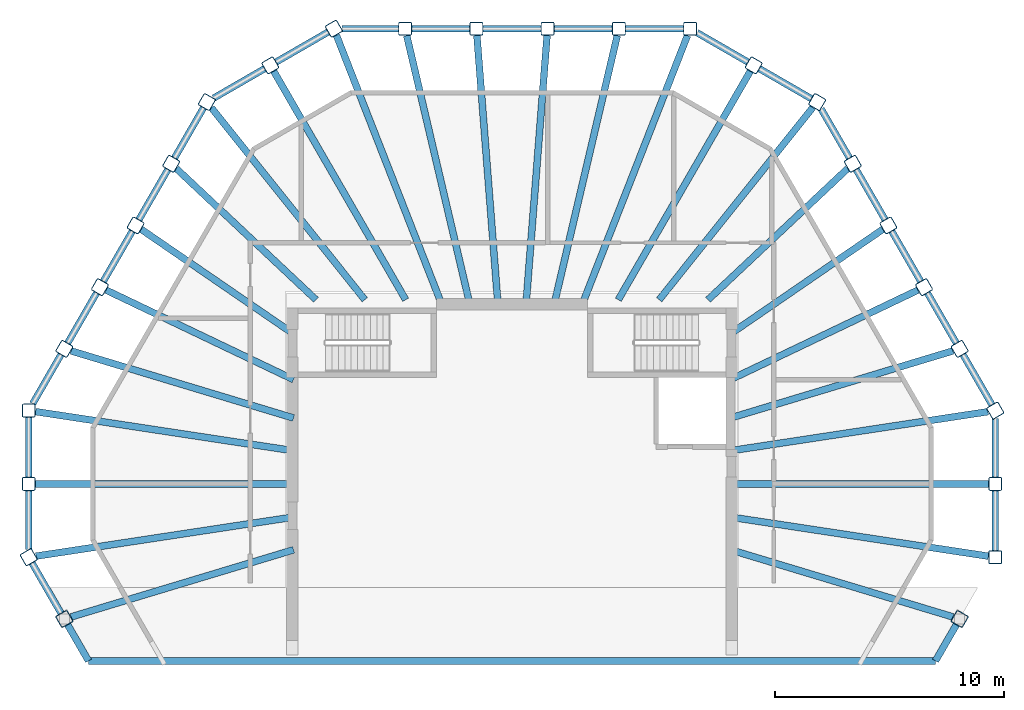
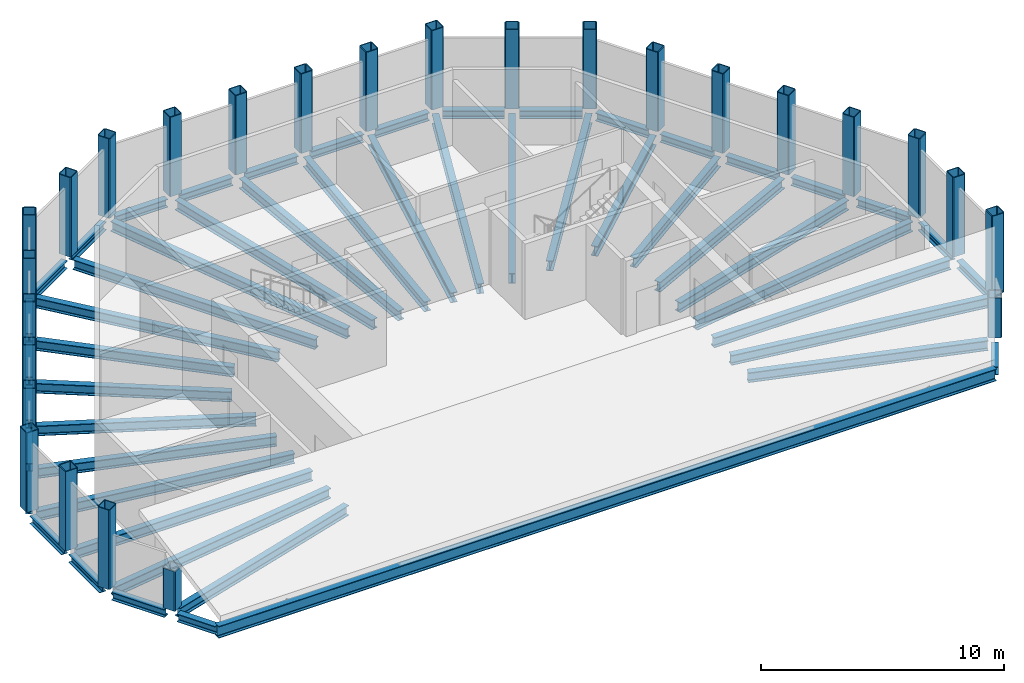
# One storey, part 1 of 4: 53 beams, 26 columns.
"""IFC4 building model written with IfcOpenShell, lengths in metres."""

from ifc_helpers import new_model, si_unit, direction, frame, origin, origin_2d, place, context, subcontext, project, spatial, hollow_rectangle, i_section, extrude, material, material_profile, profile_set, type_object, element, save


model = new_model("IFC4")

# Units and contexts
model_context = context("Model", 3, precision=1e-05, world=origin(), true_north=direction((0.0, 1.0)))
body_context = subcontext(model_context, "Body", "Model", "MODEL_VIEW")
ifc_project = project(units=[si_unit("LENGTHUNIT", "METRE"), si_unit("AREAUNIT", "SQUARE_METRE"), si_unit("VOLUMEUNIT", "CUBIC_METRE"), si_unit("PLANEANGLEUNIT", "RADIAN"), si_unit("MASSUNIT", "GRAM", prefix="KILO")], contexts=[model_context])

# Site, building, storey
site_placement = place(None, origin())
site = spatial("IfcSite", under=ifc_project, at=site_placement, CompositionType="ELEMENT")
building_placement = place(site_placement, origin())
building = spatial("IfcBuilding", under=site, at=building_placement, Name="Frailejon Research Tower", CompositionType="ELEMENT")
storey_placement = place(building_placement, frame((0.0, 0.0, 360.60009765625)))
storey = spatial("IfcBuildingStorey", under=building, at=storey_placement, Name="L81", CompositionType="ELEMENT", Elevation=360.60009765625)

# Columns
ifc_material_1 = material(Name="Steel S355", Category="steel")
ifc_material_profile_1 = material_profile(ifc_material_1, hollow_rectangle(XDim=0.60009765625, YDim=0.60009765625, WallThickness=0.0400390625, InnerFilletRadius=0.0400390625, OuterFilletRadius=0.080078125, at=origin_2d()), Name="Crown column")
ifc_profile_set_1 = profile_set([ifc_material_profile_1], Name="Steel S355")
column_type = type_object("IfcColumnType", Name="Crown column", PredefinedType="COLUMN", material=ifc_profile_set_1)
for number, where, z_axis, x_axis, name in (
    (1, (21.12744140625, -3.2060546875, 0.0), (0.0, 0.0, 1.0), (0.0, 1.0, 0.0), "Column C01"),
    (2, (21.12744140625, 0.0, 0.0), (0.0, 0.0, 1.0), (0.0, 1.0, 0.0), "Column C02"),
    (3, (21.12744140625, 3.2060546875, 0.0), (0.0, 0.0, 1.0), (-0.5, 0.866025403784, 0.0), "Column C03"),
    (4, (19.570068359375, 5.903564453125, 0.0), (0.0, 0.0, 1.0), (-0.5, 0.866025403784, 0.0), "Column C04"),
    (5, (18.0126953125, 8.601318359375, 0.0), (0.0, 0.0, 1.0), (-0.5, 0.866025403784, 0.0), "Column C05"),
    (6, (16.455078125, 11.298828125, 0.0), (0.0, 0.0, 1.0), (-0.5, 0.866025403784, 0.0), "Column C06"),
    (7, (14.897705078125, 13.996337890625, 0.0), (0.0, 0.0, 1.0), (-0.5, 0.866025403784, 0.0), "Column C07"),
    (8, (13.34033203125, 16.69384765625, 0.0), (0.0, 0.0, 1.0), (-0.866025403784, 0.5, 0.0), "Column C08"),
    (9, (10.563720703125, 18.297119140625, 0.0), (0.0, 0.0, 1.0), (-0.866025403784, 0.5, 0.0), "Column C09"),
    (10, (7.787109375, 19.89990234375, 0.0), (0.0, 0.0, 1.0), (-1.0, 0.0, 0.0), "Column C10"),
    (11, (4.67236328125, 19.89990234375, 0.0), (0.0, 0.0, 1.0), (-1.0, 0.0, 0.0), "Column C11"),
    (12, (1.557373046875, 19.89990234375, 0.0), (0.0, 0.0, 1.0), (-1.0, 0.0, 0.0), "Column C12"),
    (13, (-1.557373046875, 19.89990234375, 0.0), (0.0, 0.0, 1.0), (-1.0, 0.0, 0.0), "Column C13"),
    (14, (-4.67236328125, 19.89990234375, 0.0), (0.0, 0.0, 1.0), (-1.0, 0.0, 0.0), "Column C14"),
    (15, (-7.787109375, 19.89990234375, 0.0), (0.0, 0.0, 1.0), (-0.866025403784, -0.5, 0.0), "Column C15"),
    (16, (-10.563720703125, 18.297119140625, 0.0), (0.0, 0.0, 1.0), (-0.866025403784, -0.5, 0.0), "Column C16"),
    (17, (-13.34033203125, 16.69384765625, 0.0), (0.0, 0.0, 1.0), (-0.5, -0.866025403784, 0.0), "Column C17"),
    (18, (-14.897705078125, 13.996337890625, 0.0), (0.0, 0.0, 1.0), (-0.5, -0.866025403784, 0.0), "Column C18"),
    (19, (-16.455078125, 11.298828125, 0.0), (0.0, 0.0, 1.0), (-0.5, -0.866025403784, 0.0), "Column C19"),
    (20, (-18.0126953125, 8.601318359375, 0.0), (0.0, 0.0, 1.0), (-0.5, -0.866025403784, 0.0), "Column C20"),
    (21, (-19.570068359375, 5.903564453125, 0.0), (0.0, 0.0, 1.0), (-0.5, -0.866025403784, 0.0), "Column C21"),
    (22, (-21.12744140625, 3.2060546875, 0.0), (0.0, 0.0, 1.0), (0.0, -1.0, 0.0), "Column C22"),
    (23, (-21.12744140625, 0.0, 0.0), (0.0, 0.0, 1.0), (0.0, -1.0, 0.0), "Column C23"),
    (24, (-21.12744140625, -3.2060546875, 0.0), (0.0, 0.0, 1.0), (0.5, -0.866025403784, 0.0), "Column C24"),
):
    element("IfcColumn", number, at=place(storey_placement, frame(where, z_axis=z_axis, x_axis=x_axis)), inside=storey, type_object=column_type, Name=name, PredefinedType="COLUMN", context=body_context, shape_type="SweptSolid", body=[
        extrude(hollow_rectangle(XDim=0.60009765625, YDim=0.60009765625, WallThickness=0.0400390625, InnerFilletRadius=0.0400390625, OuterFilletRadius=0.080078125, at=origin_2d()), origin(), (0.0, 0.0, 1.0), 4.0),
    ])
for number, where, z_axis, x_axis, name in (
    (25, (-19.570068359375, -5.903564453125, 0.0), (0.0, 0.0, 1.0), (0.5, -0.866025403784, 0.0), "Column C25"),
    (26, (19.570068359375, -5.903564453125, 0.0), (0.0, 0.0, 1.0), (0.5, 0.866025403784, 0.0), "Column C42"),
):
    element("IfcColumn", number, at=place(storey_placement, frame(where, z_axis=z_axis, x_axis=x_axis)), inside=storey, type_object=column_type, Name=name, PredefinedType="COLUMN", context=body_context, shape_type="SweptSolid", body=[
        extrude(hollow_rectangle(XDim=0.60009765625, YDim=0.60009765625, WallThickness=0.0400390625, InnerFilletRadius=0.0400390625, OuterFilletRadius=0.080078125, at=origin_2d()), origin(), (0.0, 0.0, 1.0), 2.005615234375),
    ])

# Beams
ifc_material_2 = material(Name="Steel S355", Category="steel")
ifc_material_profile_2 = material_profile(ifc_material_2, i_section(OverallWidth=0.300048828125, OverallDepth=0.60009765625, WebThickness=0.015380859375, FlangeThickness=0.030029296875, FilletRadius=0.027099609375, at=origin_2d()), Name="HE 600 B")
ifc_profile_set_2 = profile_set([ifc_material_profile_2], Name="Steel S355")
beam_type_1 = type_object("IfcBeamType", Name="Crown chord beam", PredefinedType="BEAM", material=ifc_profile_set_2)
beam_1_placement = place(storey_placement, frame((18.51171875, -7.736572265625, -0.5), z_axis=(-1.0, 0.0, 0.0), x_axis=(0.0, -1.0, 0.0)))
element("IfcBeam", 27, at=beam_1_placement, inside=storey, type_object=beam_type_1, Name="Crown chord beam", PredefinedType="BEAM", context=body_context, shape_type="SweptSolid", body=[
    extrude(i_section(OverallWidth=0.300048828125, OverallDepth=0.60009765625, WebThickness=0.015380859375, FlangeThickness=0.030029296875, FilletRadius=0.027099609375, at=origin_2d()), origin(), (0.0, 0.0, 1.0), 37.0234375),
])
ifc_material_3 = material(Name="Steel S355", Category="steel")
ifc_material_profile_3 = material_profile(ifc_material_3, i_section(OverallWidth=0.300048828125, OverallDepth=0.5, WebThickness=0.014404296875, FlangeThickness=0.028076171875, FilletRadius=0.027099609375, at=origin_2d()), Name="HE 500 B")
ifc_profile_set_3 = profile_set([ifc_material_profile_3], Name="Steel S355")
beam_type_2 = type_object("IfcBeamType", Name="Crown girder", PredefinedType="BEAM", material=ifc_profile_set_3)
beam_2_placement = place(storey_placement, frame((20.827392578125, -3.16064453125, -0.4501953125), z_axis=(-0.988679931641, 0.150039970575, 0.0), x_axis=(-0.150039970575, -0.988679931641, 0.0)))
element("IfcBeam", 28, at=beam_2_placement, inside=storey, type_object=beam_type_2, Name="Crown girder", PredefinedType="BEAM", context=body_context, shape_type="SweptSolid", body=[
    extrude(i_section(OverallWidth=0.300048828125, OverallDepth=0.5, WebThickness=0.014404296875, FlangeThickness=0.028076171875, FilletRadius=0.027099609375, at=origin_2d()), origin(), (0.0, 0.0, 1.0), 11.406494140625),
])
beam_3_placement = place(storey_placement, frame((20.827392578125, 0.0, -0.4501953125), z_axis=(-1.0, 0.0, 0.0), x_axis=(0.0, -1.0, 0.0)))
element("IfcBeam", 29, at=beam_3_placement, inside=storey, type_object=beam_type_2, Name="Crown girder", PredefinedType="BEAM", context=body_context, shape_type="SweptSolid", body=[
    extrude(i_section(OverallWidth=0.300048828125, OverallDepth=0.5, WebThickness=0.014404296875, FlangeThickness=0.028076171875, FilletRadius=0.027099609375, at=origin_2d()), origin(), (0.0, 0.0, 1.0), 11.27734375),
])
beam_4_placement = place(storey_placement, frame((20.80908203125, 3.15771484375, -0.4501953125), z_axis=(-0.988681897443, -0.150027016465, 0.0), x_axis=(0.150027016465, -0.988681897443, 0.0)))
element("IfcBeam", 30, at=beam_4_placement, inside=storey, type_object=beam_type_2, Name="Crown girder", PredefinedType="BEAM", context=body_context, shape_type="SweptSolid", body=[
    extrude(i_section(OverallWidth=0.300048828125, OverallDepth=0.5, WebThickness=0.014404296875, FlangeThickness=0.028076171875, FilletRadius=0.027099609375, at=origin_2d()), origin(), (0.0, 0.0, 1.0), 11.387939453125),
])
beam_5_placement = place(storey_placement, frame((19.275146484375, 5.814697265625, -0.4501953125), z_axis=(-0.957383273928, -0.288820475041, 0.0), x_axis=(0.288820475041, -0.957383273928, 0.0)))
element("IfcBeam", 31, at=beam_5_placement, inside=storey, type_object=beam_type_2, Name="Crown girder", PredefinedType="BEAM", context=body_context, shape_type="SweptSolid", body=[
    extrude(i_section(OverallWidth=0.300048828125, OverallDepth=0.5, WebThickness=0.014404296875, FlangeThickness=0.028076171875, FilletRadius=0.027099609375, at=origin_2d()), origin(), (0.0, 0.0, 1.0), 10.157958984375),
])
beam_6_placement = place(storey_placement, frame((17.7412109375, 8.471435546875, -0.4501953125), z_axis=(-0.902407599348, -0.430883423491, 0.0), x_axis=(0.430883423491, -0.902407599348, 0.0)))
element("IfcBeam", 32, at=beam_6_placement, inside=storey, type_object=beam_type_2, Name="Crown girder", PredefinedType="BEAM", context=body_context, shape_type="SweptSolid", body=[
    extrude(i_section(OverallWidth=0.300048828125, OverallDepth=0.5, WebThickness=0.014404296875, FlangeThickness=0.028076171875, FilletRadius=0.027099609375, at=origin_2d()), origin(), (0.0, 0.0, 1.0), 9.076904296875),
])
beam_7_placement = place(storey_placement, frame((16.20703125, 11.12841796875, -0.4501953125), z_axis=(-0.824367295754, -0.566055263814, 0.0), x_axis=(0.566055263814, -0.824367295754, 0.0)))
element("IfcBeam", 33, at=beam_7_placement, inside=storey, type_object=beam_type_2, Name="Crown girder", PredefinedType="BEAM", context=body_context, shape_type="SweptSolid", body=[
    extrude(i_section(OverallWidth=0.300048828125, OverallDepth=0.5, WebThickness=0.014404296875, FlangeThickness=0.028076171875, FilletRadius=0.027099609375, at=origin_2d()), origin(), (0.0, 0.0, 1.0), 8.0751953125),
])
beam_8_placement = place(storey_placement, frame((14.673095703125, 13.785400390625, -0.4501953125), z_axis=(-0.728812369992, -0.684713465141, 0.0), x_axis=(0.684713465141, -0.728812369992, 0.0)))
element("IfcBeam", 34, at=beam_8_placement, inside=storey, type_object=beam_type_2, Name="Crown girder", PredefinedType="BEAM", context=body_context, shape_type="SweptSolid", body=[
    extrude(i_section(OverallWidth=0.300048828125, OverallDepth=0.5, WebThickness=0.014404296875, FlangeThickness=0.028076171875, FilletRadius=0.027099609375, at=origin_2d()), origin(), (0.0, 0.0, 1.0), 8.376220703125),
])
beam_9_placement = place(storey_placement, frame((13.15087890625, 16.456787109375, -0.4501953125), z_axis=(-0.624277186009, -0.781202915399, 0.0), x_axis=(0.781202915399, -0.624277186009, 0.0)))
element("IfcBeam", 35, at=beam_9_placement, inside=storey, type_object=beam_type_2, Name="Crown girder", PredefinedType="BEAM", context=body_context, shape_type="SweptSolid", body=[
    extrude(i_section(OverallWidth=0.300048828125, OverallDepth=0.5, WebThickness=0.014404296875, FlangeThickness=0.028076171875, FilletRadius=0.027099609375, at=origin_2d()), origin(), (0.0, 0.0, 1.0), 10.76123046875),
])
beam_10_placement = place(storey_placement, frame((10.413818359375, 18.037109375, -0.4501953125), z_axis=(-0.500005279996, -0.866022355356, 0.0), x_axis=(0.866022355356, -0.500005279996, 0.0)))
element("IfcBeam", 36, at=beam_10_placement, inside=storey, type_object=beam_type_2, Name="Crown girder", PredefinedType="BEAM", context=body_context, shape_type="SweptSolid", body=[
    extrude(i_section(OverallWidth=0.300048828125, OverallDepth=0.5, WebThickness=0.014404296875, FlangeThickness=0.028076171875, FilletRadius=0.027099609375, at=origin_2d()), origin(), (0.0, 0.0, 1.0), 11.5322265625),
])
beam_11_placement = place(storey_placement, frame((7.669921875, 19.60009765625, -0.4501953125), z_axis=(-0.364412707951, -0.931237552015, 0.0), x_axis=(0.931237552015, -0.364412707951, 0.0)))
element("IfcBeam", 37, at=beam_11_placement, inside=storey, type_object=beam_type_2, Name="Crown girder", PredefinedType="BEAM", context=body_context, shape_type="SweptSolid", body=[
    extrude(i_section(OverallWidth=0.300048828125, OverallDepth=0.5, WebThickness=0.014404296875, FlangeThickness=0.028076171875, FilletRadius=0.027099609375, at=origin_2d()), origin(), (0.0, 0.0, 1.0), 12.40283203125),
])
beam_12_placement = place(storey_placement, frame((4.601806640625, 19.60009765625, -0.4501953125), z_axis=(-0.228561016932, -0.973529589452, 0.0), x_axis=(0.973529589452, -0.228561016932, 0.0)))
element("IfcBeam", 38, at=beam_12_placement, inside=storey, type_object=beam_type_2, Name="Crown girder", PredefinedType="BEAM", context=body_context, shape_type="SweptSolid", body=[
    extrude(i_section(OverallWidth=0.300048828125, OverallDepth=0.5, WebThickness=0.014404296875, FlangeThickness=0.028076171875, FilletRadius=0.027099609375, at=origin_2d()), origin(), (0.0, 0.0, 1.0), 11.864013671875),
])
for number, where, z_axis, x_axis, name in (
    (39, (1.533935546875, 19.60009765625, -0.4501953125), (-0.078033956508, -0.996950701706, 0.0), (0.996950701706, -0.078033956508, 0.0), "Crown girder"),
    (40, (-1.533935546875, 19.60009765625, -0.4501953125), (0.078033956508, -0.996950701706, 0.0), (0.996950701706, 0.078033956508, 0.0), "Crown girder"),
):
    element("IfcBeam", number, at=place(storey_placement, frame(where, z_axis=z_axis, x_axis=x_axis)), inside=storey, type_object=beam_type_2, Name=name, PredefinedType="BEAM", context=body_context, shape_type="SweptSolid", body=[
        extrude(i_section(OverallWidth=0.300048828125, OverallDepth=0.5, WebThickness=0.014404296875, FlangeThickness=0.028076171875, FilletRadius=0.027099609375, at=origin_2d()), origin(), (0.0, 0.0, 1.0), 11.58544921875),
    ])
beam_13_placement = place(storey_placement, frame((-4.601806640625, 19.60009765625, -0.4501953125), z_axis=(0.228561016932, -0.973529589452, 0.0), x_axis=(0.973529589452, 0.228561016932, 0.0)))
element("IfcBeam", 41, at=beam_13_placement, inside=storey, type_object=beam_type_2, Name="Crown girder", PredefinedType="BEAM", context=body_context, shape_type="SweptSolid", body=[
    extrude(i_section(OverallWidth=0.300048828125, OverallDepth=0.5, WebThickness=0.014404296875, FlangeThickness=0.028076171875, FilletRadius=0.027099609375, at=origin_2d()), origin(), (0.0, 0.0, 1.0), 11.864013671875),
])
beam_14_placement = place(storey_placement, frame((-7.676513671875, 19.617431640625, -0.4501953125), z_axis=(0.364399348581, -0.931242779706, 0.0), x_axis=(0.931242779706, 0.364399348581, 0.0)))
element("IfcBeam", 42, at=beam_14_placement, inside=storey, type_object=beam_type_2, Name="Crown girder", PredefinedType="BEAM", context=body_context, shape_type="SweptSolid", body=[
    extrude(i_section(OverallWidth=0.300048828125, OverallDepth=0.5, WebThickness=0.014404296875, FlangeThickness=0.028076171875, FilletRadius=0.027099609375, at=origin_2d()), origin(), (0.0, 0.0, 1.0), 12.42138671875),
])
beam_15_placement = place(storey_placement, frame((-10.413818359375, 18.037109375, -0.4501953125), z_axis=(0.500005279996, -0.866022355356, 0.0), x_axis=(0.866022355356, 0.500005279996, 0.0)))
element("IfcBeam", 43, at=beam_15_placement, inside=storey, type_object=beam_type_2, Name="Crown girder", PredefinedType="BEAM", context=body_context, shape_type="SweptSolid", body=[
    extrude(i_section(OverallWidth=0.300048828125, OverallDepth=0.5, WebThickness=0.014404296875, FlangeThickness=0.028076171875, FilletRadius=0.027099609375, at=origin_2d()), origin(), (0.0, 0.0, 1.0), 11.5322265625),
])
beam_16_placement = place(storey_placement, frame((-13.13916015625, 16.442138671875, -0.4501953125), z_axis=(0.624276456161, -0.781203498637, 0.0), x_axis=(0.781203498637, 0.624276456161, 0.0)))
element("IfcBeam", 44, at=beam_16_placement, inside=storey, type_object=beam_type_2, Name="Crown girder", PredefinedType="BEAM", context=body_context, shape_type="SweptSolid", body=[
    extrude(i_section(OverallWidth=0.300048828125, OverallDepth=0.5, WebThickness=0.014404296875, FlangeThickness=0.028076171875, FilletRadius=0.027099609375, at=origin_2d()), origin(), (0.0, 0.0, 1.0), 10.742431640625),
])
beam_17_placement = place(storey_placement, frame((-14.673095703125, 13.785400390625, -0.4501953125), z_axis=(0.728812369992, -0.684713465141, 0.0), x_axis=(0.684713465141, 0.728812369992, 0.0)))
element("IfcBeam", 45, at=beam_17_placement, inside=storey, type_object=beam_type_2, Name="Crown girder", PredefinedType="BEAM", context=body_context, shape_type="SweptSolid", body=[
    extrude(i_section(OverallWidth=0.300048828125, OverallDepth=0.5, WebThickness=0.014404296875, FlangeThickness=0.028076171875, FilletRadius=0.027099609375, at=origin_2d()), origin(), (0.0, 0.0, 1.0), 8.376220703125),
])
beam_18_placement = place(storey_placement, frame((-16.20703125, 11.12841796875, -0.4501953125), z_axis=(0.824367295754, -0.566055263814, 0.0), x_axis=(0.566055263814, 0.824367295754, 0.0)))
element("IfcBeam", 46, at=beam_18_placement, inside=storey, type_object=beam_type_2, Name="Crown girder", PredefinedType="BEAM", context=body_context, shape_type="SweptSolid", body=[
    extrude(i_section(OverallWidth=0.300048828125, OverallDepth=0.5, WebThickness=0.014404296875, FlangeThickness=0.028076171875, FilletRadius=0.027099609375, at=origin_2d()), origin(), (0.0, 0.0, 1.0), 8.0751953125),
])
beam_19_placement = place(storey_placement, frame((-17.7412109375, 8.471435546875, -0.4501953125), z_axis=(0.902407599348, -0.430883423491, 0.0), x_axis=(0.430883423491, 0.902407599348, 0.0)))
element("IfcBeam", 47, at=beam_19_placement, inside=storey, type_object=beam_type_2, Name="Crown girder", PredefinedType="BEAM", context=body_context, shape_type="SweptSolid", body=[
    extrude(i_section(OverallWidth=0.300048828125, OverallDepth=0.5, WebThickness=0.014404296875, FlangeThickness=0.028076171875, FilletRadius=0.027099609375, at=origin_2d()), origin(), (0.0, 0.0, 1.0), 9.076904296875),
])
beam_20_placement = place(storey_placement, frame((-19.275146484375, 5.814697265625, -0.4501953125), z_axis=(0.957383273928, -0.288820475041, 0.0), x_axis=(0.288820475041, 0.957383273928, 0.0)))
element("IfcBeam", 48, at=beam_20_placement, inside=storey, type_object=beam_type_2, Name="Crown girder", PredefinedType="BEAM", context=body_context, shape_type="SweptSolid", body=[
    extrude(i_section(OverallWidth=0.300048828125, OverallDepth=0.5, WebThickness=0.014404296875, FlangeThickness=0.028076171875, FilletRadius=0.027099609375, at=origin_2d()), origin(), (0.0, 0.0, 1.0), 10.157958984375),
])
beam_21_placement = place(storey_placement, frame((-20.827392578125, 3.16064453125, -0.4501953125), z_axis=(0.988679931641, -0.150039970575, 0.0), x_axis=(0.150039970575, 0.988679931641, 0.0)))
element("IfcBeam", 49, at=beam_21_placement, inside=storey, type_object=beam_type_2, Name="Crown girder", PredefinedType="BEAM", context=body_context, shape_type="SweptSolid", body=[
    extrude(i_section(OverallWidth=0.300048828125, OverallDepth=0.5, WebThickness=0.014404296875, FlangeThickness=0.028076171875, FilletRadius=0.027099609375, at=origin_2d()), origin(), (0.0, 0.0, 1.0), 11.406494140625),
])
beam_22_placement = place(storey_placement, frame((-20.827392578125, 0.0, -0.4501953125), z_axis=(1.0, 0.0, 0.0), x_axis=(0.0, 1.0, 0.0)))
element("IfcBeam", 50, at=beam_22_placement, inside=storey, type_object=beam_type_2, Name="Crown girder", PredefinedType="BEAM", context=body_context, shape_type="SweptSolid", body=[
    extrude(i_section(OverallWidth=0.300048828125, OverallDepth=0.5, WebThickness=0.014404296875, FlangeThickness=0.028076171875, FilletRadius=0.027099609375, at=origin_2d()), origin(), (0.0, 0.0, 1.0), 11.27734375),
])
beam_23_placement = place(storey_placement, frame((-20.80908203125, -3.15771484375, -0.4501953125), z_axis=(0.988681897443, 0.150027016465, 0.0), x_axis=(-0.150027016465, 0.988681897443, 0.0)))
element("IfcBeam", 51, at=beam_23_placement, inside=storey, type_object=beam_type_2, Name="Crown girder", PredefinedType="BEAM", context=body_context, shape_type="SweptSolid", body=[
    extrude(i_section(OverallWidth=0.300048828125, OverallDepth=0.5, WebThickness=0.014404296875, FlangeThickness=0.028076171875, FilletRadius=0.027099609375, at=origin_2d()), origin(), (0.0, 0.0, 1.0), 11.387939453125),
])
for number, where, z_axis, x_axis, name in (
    (52, (-19.275146484375, -5.814697265625, -0.4501953125), (0.957383273928, 0.288820475041, 0.0), (-0.288820475041, 0.957383273928, 0.0), "Crown girder"),
    (53, (19.275146484375, -5.814697265625, -0.4501953125), (-0.957383273928, 0.288820475041, 0.0), (-0.288820475041, -0.957383273928, 0.0), "Crown girder"),
):
    element("IfcBeam", number, at=place(storey_placement, frame(where, z_axis=z_axis, x_axis=x_axis)), inside=storey, type_object=beam_type_2, Name=name, PredefinedType="BEAM", context=body_context, shape_type="SweptSolid", body=[
        extrude(i_section(OverallWidth=0.300048828125, OverallDepth=0.5, WebThickness=0.014404296875, FlangeThickness=0.028076171875, FilletRadius=0.027099609375, at=origin_2d()), origin(), (0.0, 0.0, 1.0), 10.157958984375),
    ])
ifc_material_4 = material(Name="Steel S355", Category="steel")
ifc_material_profile_4 = material_profile(ifc_material_4, i_section(OverallWidth=0.300048828125, OverallDepth=0.39990234375, WebThickness=0.013427734375, FlangeThickness=0.02392578125, FilletRadius=0.027099609375, at=origin_2d()), Name="HE 400 B")
ifc_profile_set_4 = profile_set([ifc_material_profile_4], Name="Steel S355")
beam_type_3 = type_object("IfcBeamType", Name="Crown ring beam", PredefinedType="BEAM", material=ifc_profile_set_4)
beam_24_placement = place(storey_placement, frame((21.12744140625, -2.906005859375, -0.400146484375), z_axis=(0.0, 1.0, 0.0), x_axis=(-1.0, 0.0, 0.0)))
element("IfcBeam", 54, at=beam_24_placement, inside=storey, type_object=beam_type_3, Name="Crown ring beam", PredefinedType="BEAM", context=body_context, shape_type="SweptSolid", body=[
    extrude(i_section(OverallWidth=0.300048828125, OverallDepth=0.39990234375, WebThickness=0.013427734375, FlangeThickness=0.02392578125, FilletRadius=0.027099609375, at=origin_2d()), origin(), (0.0, 0.0, 1.0), 2.60595703125),
])
beam_25_placement = place(storey_placement, frame((21.12744140625, 0.300048828125, -0.400146484375), z_axis=(0.0, 1.0, 0.0), x_axis=(-1.0, 0.0, 0.0)))
element("IfcBeam", 55, at=beam_25_placement, inside=storey, type_object=beam_type_3, Name="Crown ring beam", PredefinedType="BEAM", context=body_context, shape_type="SweptSolid", body=[
    extrude(i_section(OverallWidth=0.300048828125, OverallDepth=0.39990234375, WebThickness=0.013427734375, FlangeThickness=0.02392578125, FilletRadius=0.027099609375, at=origin_2d()), origin(), (0.0, 0.0, 1.0), 2.5595703125),
])
for number, where, z_axis, x_axis, name in (
    (56, (20.9775390625, 3.4658203125, -0.400146484375), (-0.499960554673, 0.866048176357, 0.0), (-0.866048176357, -0.499960554673, 0.0), "Crown ring beam"),
    (57, (19.420166015625, 6.163330078125, -0.400146484375), (-0.500033362991, 0.866006140796, 0.0), (-0.866006140796, -0.500033362991, 0.0), "Crown ring beam"),
    (58, (17.862548828125, 8.861083984375, -0.400146484375), (-0.499960554673, 0.866048176357, 0.0), (-0.866048176357, -0.499960554673, 0.0), "Crown ring beam"),
    (59, (16.30517578125, 11.55859375, -0.400146484375), (-0.500033362991, 0.866006140796, 0.0), (-0.866006140796, -0.500033362991, 0.0), "Crown ring beam"),
):
    element("IfcBeam", number, at=place(storey_placement, frame(where, z_axis=z_axis, x_axis=x_axis)), inside=storey, type_object=beam_type_3, Name=name, PredefinedType="BEAM", context=body_context, shape_type="SweptSolid", body=[
        extrude(i_section(OverallWidth=0.300048828125, OverallDepth=0.39990234375, WebThickness=0.013427734375, FlangeThickness=0.02392578125, FilletRadius=0.027099609375, at=origin_2d()), origin(), (0.0, 0.0, 1.0), 2.514892578125),
    ])
beam_26_placement = place(storey_placement, frame((14.747802734375, 14.256103515625, -0.400146484375), z_axis=(-0.500053484023, 0.865994522568, 0.0), x_axis=(-0.865994522568, -0.500053484023, 0.0)))
element("IfcBeam", 60, at=beam_26_placement, inside=storey, type_object=beam_type_3, Name="Crown ring beam", PredefinedType="BEAM", context=body_context, shape_type="SweptSolid", body=[
    extrude(i_section(OverallWidth=0.300048828125, OverallDepth=0.39990234375, WebThickness=0.013427734375, FlangeThickness=0.02392578125, FilletRadius=0.027099609375, at=origin_2d()), origin(), (0.0, 0.0, 1.0), 2.468505859375),
])
beam_27_placement = place(storey_placement, frame((13.08056640625, 16.843994140625, -0.400146484375), z_axis=(-0.866049872286, 0.499957616916, 0.0), x_axis=(-0.499957616916, -0.866049872286, 0.0)))
element("IfcBeam", 61, at=beam_27_placement, inside=storey, type_object=beam_type_3, Name="Crown ring beam", PredefinedType="BEAM", context=body_context, shape_type="SweptSolid", body=[
    extrude(i_section(OverallWidth=0.300048828125, OverallDepth=0.39990234375, WebThickness=0.013427734375, FlangeThickness=0.02392578125, FilletRadius=0.027099609375, at=origin_2d()), origin(), (0.0, 0.0, 1.0), 2.606201171875),
])
beam_28_placement = place(storey_placement, frame((10.303955078125, 18.447021484375, -0.400146484375), z_axis=(-0.866039463868, 0.499975646431, 0.0), x_axis=(-0.499975646431, -0.866039463868, 0.0)))
element("IfcBeam", 62, at=beam_28_placement, inside=storey, type_object=beam_type_3, Name="Crown ring beam", PredefinedType="BEAM", context=body_context, shape_type="SweptSolid", body=[
    extrude(i_section(OverallWidth=0.300048828125, OverallDepth=0.39990234375, WebThickness=0.013427734375, FlangeThickness=0.02392578125, FilletRadius=0.027099609375, at=origin_2d()), origin(), (0.0, 0.0, 1.0), 2.559814453125),
])
for number, where, z_axis, x_axis, name in (
    (63, (7.4873046875, 19.89990234375, -0.400146484375), (-1.0, 0.0, 0.0), (0.0, -1.0, 0.0), "Crown ring beam"),
    (64, (4.372314453125, 19.89990234375, -0.400146484375), (-1.0, 0.0, 0.0), (0.0, -1.0, 0.0), "Crown ring beam"),
):
    element("IfcBeam", number, at=place(storey_placement, frame(where, z_axis=z_axis, x_axis=x_axis)), inside=storey, type_object=beam_type_3, Name=name, PredefinedType="BEAM", context=body_context, shape_type="SweptSolid", body=[
        extrude(i_section(OverallWidth=0.300048828125, OverallDepth=0.39990234375, WebThickness=0.013427734375, FlangeThickness=0.02392578125, FilletRadius=0.027099609375, at=origin_2d()), origin(), (0.0, 0.0, 1.0), 2.514892578125),
    ])
beam_29_placement = place(storey_placement, frame((1.25732421875, 19.89990234375, -0.400146484375), z_axis=(-1.0, 0.0, 0.0), x_axis=(0.0, -1.0, 0.0)))
element("IfcBeam", 65, at=beam_29_placement, inside=storey, type_object=beam_type_3, Name="Crown ring beam", PredefinedType="BEAM", context=body_context, shape_type="SweptSolid", body=[
    extrude(i_section(OverallWidth=0.300048828125, OverallDepth=0.39990234375, WebThickness=0.013427734375, FlangeThickness=0.02392578125, FilletRadius=0.027099609375, at=origin_2d()), origin(), (0.0, 0.0, 1.0), 2.5146484375),
])
beam_30_placement = place(storey_placement, frame((-1.857421875, 19.89990234375, -0.400146484375), z_axis=(-1.0, 0.0, 0.0), x_axis=(0.0, -1.0, 0.0)))
element("IfcBeam", 66, at=beam_30_placement, inside=storey, type_object=beam_type_3, Name="Crown ring beam", PredefinedType="BEAM", context=body_context, shape_type="SweptSolid", body=[
    extrude(i_section(OverallWidth=0.300048828125, OverallDepth=0.39990234375, WebThickness=0.013427734375, FlangeThickness=0.02392578125, FilletRadius=0.027099609375, at=origin_2d()), origin(), (0.0, 0.0, 1.0), 2.514892578125),
])
beam_31_placement = place(storey_placement, frame((-4.972412109375, 19.89990234375, -0.400146484375), z_axis=(-1.0, 0.0, 0.0), x_axis=(0.0, -1.0, 0.0)))
element("IfcBeam", 67, at=beam_31_placement, inside=storey, type_object=beam_type_3, Name="Crown ring beam", PredefinedType="BEAM", context=body_context, shape_type="SweptSolid", body=[
    extrude(i_section(OverallWidth=0.300048828125, OverallDepth=0.39990234375, WebThickness=0.013427734375, FlangeThickness=0.02392578125, FilletRadius=0.027099609375, at=origin_2d()), origin(), (0.0, 0.0, 1.0), 2.468505859375),
])
beam_32_placement = place(storey_placement, frame((-8.047119140625, 19.75, -0.400146484375), z_axis=(-0.866026453994, -0.499998180979, 0.0), x_axis=(0.499998180979, -0.866026453994, 0.0)))
element("IfcBeam", 68, at=beam_32_placement, inside=storey, type_object=beam_type_3, Name="Crown ring beam", PredefinedType="BEAM", context=body_context, shape_type="SweptSolid", body=[
    extrude(i_section(OverallWidth=0.300048828125, OverallDepth=0.39990234375, WebThickness=0.013427734375, FlangeThickness=0.02392578125, FilletRadius=0.027099609375, at=origin_2d()), origin(), (0.0, 0.0, 1.0), 2.60595703125),
])
beam_33_placement = place(storey_placement, frame((-10.823486328125, 18.14697265625, -0.400146484375), z_axis=(-0.866039463868, -0.499975646431, 0.0), x_axis=(0.499975646431, -0.866039463868, 0.0)))
element("IfcBeam", 69, at=beam_33_placement, inside=storey, type_object=beam_type_3, Name="Crown ring beam", PredefinedType="BEAM", context=body_context, shape_type="SweptSolid", body=[
    extrude(i_section(OverallWidth=0.300048828125, OverallDepth=0.39990234375, WebThickness=0.013427734375, FlangeThickness=0.02392578125, FilletRadius=0.027099609375, at=origin_2d()), origin(), (0.0, 0.0, 1.0), 2.559814453125),
])
for number, where, z_axis, x_axis, name in (
    (70, (-13.490234375, 16.43408203125, -0.400146484375), (-0.500033362991, -0.866006140796, 0.0), (0.866006140796, -0.500033362991, 0.0), "Crown ring beam"),
    (71, (-15.047607421875, 13.736572265625, -0.400146484375), (-0.500033362991, -0.866006140796, 0.0), (0.866006140796, -0.500033362991, 0.0), "Crown ring beam"),
    (72, (-16.605224609375, 11.0390625, -0.400146484375), (-0.499960554673, -0.866048176357, 0.0), (0.866048176357, -0.499960554673, 0.0), "Crown ring beam"),
    (73, (-18.16259765625, 8.34130859375, -0.400146484375), (-0.500033362991, -0.866006140796, 0.0), (0.866006140796, -0.500033362991, 0.0), "Crown ring beam"),
):
    element("IfcBeam", number, at=place(storey_placement, frame(where, z_axis=z_axis, x_axis=x_axis)), inside=storey, type_object=beam_type_3, Name=name, PredefinedType="BEAM", context=body_context, shape_type="SweptSolid", body=[
        extrude(i_section(OverallWidth=0.300048828125, OverallDepth=0.39990234375, WebThickness=0.013427734375, FlangeThickness=0.02392578125, FilletRadius=0.027099609375, at=origin_2d()), origin(), (0.0, 0.0, 1.0), 2.514892578125),
    ])
beam_34_placement = place(storey_placement, frame((-19.72021484375, 5.643798828125, -0.400146484375), z_axis=(-0.499979306572, -0.866037350811, 0.0), x_axis=(0.866037350811, -0.499979306572, 0.0)))
element("IfcBeam", 74, at=beam_34_placement, inside=storey, type_object=beam_type_3, Name="Crown ring beam", PredefinedType="BEAM", context=body_context, shape_type="SweptSolid", body=[
    extrude(i_section(OverallWidth=0.300048828125, OverallDepth=0.39990234375, WebThickness=0.013427734375, FlangeThickness=0.02392578125, FilletRadius=0.027099609375, at=origin_2d()), origin(), (0.0, 0.0, 1.0), 2.46826171875),
])
beam_35_placement = place(storey_placement, frame((-21.12744140625, 2.906005859375, -0.400146484375), z_axis=(0.0, -1.0, 0.0), x_axis=(1.0, 0.0, 0.0)))
element("IfcBeam", 75, at=beam_35_placement, inside=storey, type_object=beam_type_3, Name="Crown ring beam", PredefinedType="BEAM", context=body_context, shape_type="SweptSolid", body=[
    extrude(i_section(OverallWidth=0.300048828125, OverallDepth=0.39990234375, WebThickness=0.013427734375, FlangeThickness=0.02392578125, FilletRadius=0.027099609375, at=origin_2d()), origin(), (0.0, 0.0, 1.0), 2.60595703125),
])
beam_36_placement = place(storey_placement, frame((-21.12744140625, -0.300048828125, -0.400146484375), z_axis=(0.0, -1.0, 0.0), x_axis=(1.0, 0.0, 0.0)))
element("IfcBeam", 76, at=beam_36_placement, inside=storey, type_object=beam_type_3, Name="Crown ring beam", PredefinedType="BEAM", context=body_context, shape_type="SweptSolid", body=[
    extrude(i_section(OverallWidth=0.300048828125, OverallDepth=0.39990234375, WebThickness=0.013427734375, FlangeThickness=0.02392578125, FilletRadius=0.027099609375, at=origin_2d()), origin(), (0.0, 0.0, 1.0), 2.5595703125),
])
beam_37_placement = place(storey_placement, frame((-20.9775390625, -3.4658203125, -0.400146484375), z_axis=(0.499960554673, -0.866048176357, 0.0), x_axis=(0.866048176357, 0.499960554673, 0.0)))
element("IfcBeam", 77, at=beam_37_placement, inside=storey, type_object=beam_type_3, Name="Crown ring beam", PredefinedType="BEAM", context=body_context, shape_type="SweptSolid", body=[
    extrude(i_section(OverallWidth=0.300048828125, OverallDepth=0.39990234375, WebThickness=0.013427734375, FlangeThickness=0.02392578125, FilletRadius=0.027099609375, at=origin_2d()), origin(), (0.0, 0.0, 1.0), 2.514892578125),
])
for number, where, z_axis, x_axis, name in (
    (78, (18.51171875, -7.736572265625, -0.400146484375), (0.500055924186, 0.865993113533, 0.0), (-0.865993113533, 0.500055924186, 0.0), "Crown ring beam"),
    (79, (-18.51171875, -7.736572265625, -0.400146484375), (-0.500055924186, 0.865993113533, 0.0), (-0.865993113533, -0.500055924186, 0.0), "Crown ring beam"),
):
    element("IfcBeam", number, at=place(storey_placement, frame(where, z_axis=z_axis, x_axis=x_axis)), inside=storey, type_object=beam_type_3, Name=name, PredefinedType="BEAM", context=body_context, shape_type="SweptSolid", body=[
        extrude(i_section(OverallWidth=0.300048828125, OverallDepth=0.39990234375, WebThickness=0.013427734375, FlangeThickness=0.02392578125, FilletRadius=0.027099609375, at=origin_2d()), origin(), (0.0, 0.0, 1.0), 1.816650390625),
    ])

save(model, "model.ifc")
